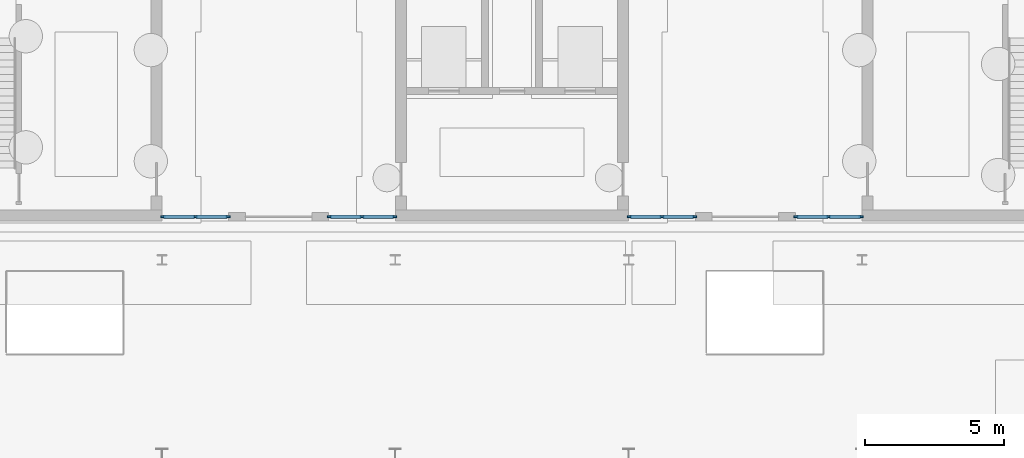
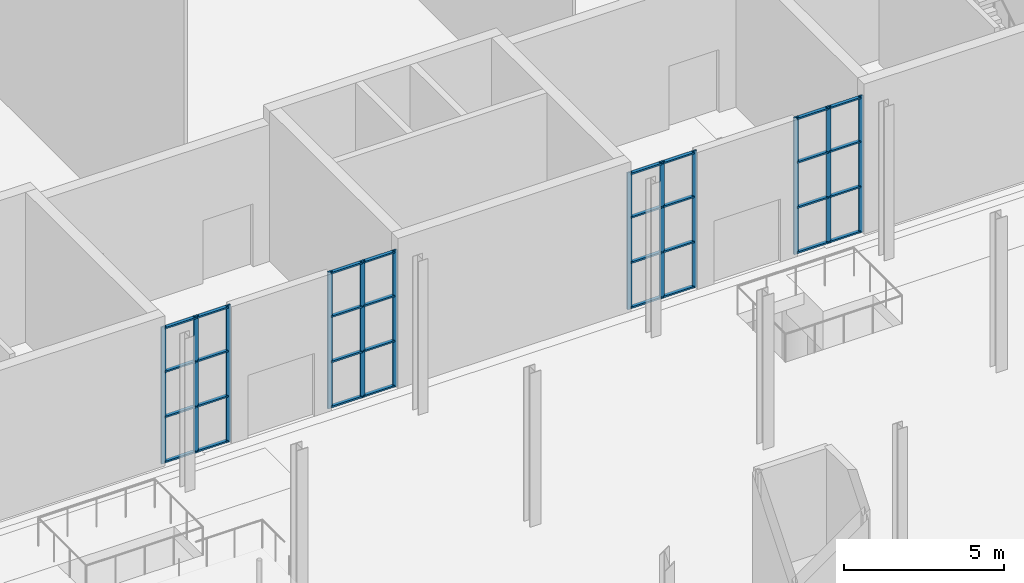
# One storey, part 37 of 108: 44 members, 4 elements without a shape of their own.
"""IFC4 building model written with IfcOpenShell, lengths in metres."""

from ifc_helpers import new_model, si_unit, direction, frame, origin, origin_2d, place, context, subcontext, project, spatial, rectangle, extrude, material, material_profile, profile_set, type_object, element, aggregate, save


model = new_model("IFC4")

# Units and contexts
model_context = context("Model", 3, precision=1e-05, world=origin(), true_north=direction((0.0, 1.0)))
body_context = subcontext(model_context, "Body", "Model", "MODEL_VIEW")
ifc_project = project(units=[si_unit("LENGTHUNIT", "METRE"), si_unit("AREAUNIT", "SQUARE_METRE"), si_unit("VOLUMEUNIT", "CUBIC_METRE"), si_unit("PLANEANGLEUNIT", "RADIAN"), si_unit("MASSUNIT", "GRAM", prefix="KILO")], contexts=[model_context])

# Site, building, storey
site_placement = place(None, origin())
site = spatial("IfcSite", under=ifc_project, at=site_placement, CompositionType="ELEMENT")
building_placement = place(site_placement, origin())
building = spatial("IfcBuilding", under=site, at=building_placement, Name="Cresset Court Congress Hotel", CompositionType="ELEMENT")
storey_placement = place(building_placement, origin())
storey = spatial("IfcBuildingStorey", under=building, at=storey_placement, Name="L00", CompositionType="ELEMENT", Elevation=0.0)

# Curtain wall, members
ifc_material_1 = material(Name="Aluminium frame with insulated glass", Category="aluminium")
curtain_wall_type = type_object("IfcCurtainWallType", Name="Curtain wall module 1200", PredefinedType="NOTDEFINED", material=ifc_material_1)
curtain_wall_1_placement = place(storey_placement, origin())
curtain_wall_1 = element("IfcCurtainWall", 1, at=curtain_wall_1_placement, inside=storey, type_object=curtain_wall_type, Name="Curtain wall W1", PredefinedType="NOTDEFINED")
ifc_material_2 = material(Name="Aluminium", Category="aluminium")
ifc_material_profile_1 = material_profile(ifc_material_2, rectangle(XDim=0.1201171875, YDim=0.06005859375, at=origin_2d()), Name="AL 120x60")
ifc_profile_set_1 = profile_set([ifc_material_profile_1], Name="Aluminium")
member_type_1 = type_object("IfcMemberType", Name="CW transom RECT 120x60", PredefinedType="USERDEFINED", material=ifc_profile_set_1)
member_1_placement = place(storey_placement, frame((16.860107421875, 58.949951171875, 0.06005859375), z_axis=(1.0, 0.0, 0.0), x_axis=(0.0, 1.0, 0.0)))
member_1 = element("IfcMember", 2, at=member_1_placement, type_object=member_type_1, Name="D-X1 transom 1.1", ObjectType="TRANSOM", PredefinedType="USERDEFINED", context=body_context, shape_type="SweptSolid", body=[
    extrude(rectangle(XDim=0.1201171875, YDim=0.06005859375, at=origin_2d()), origin(), (0.0, 0.0, 1.0), 1.10986328125),
])
member_2_placement = place(storey_placement, frame((16.860107421875, 58.949951171875, 1.77490234375), z_axis=(1.0, 0.0, 0.0), x_axis=(0.0, 1.0, 0.0)))
member_2 = element("IfcMember", 3, at=member_2_placement, type_object=member_type_1, Name="D-X1 transom 1.2", ObjectType="TRANSOM", PredefinedType="USERDEFINED", context=body_context, shape_type="SweptSolid", body=[
    extrude(rectangle(XDim=0.1201171875, YDim=0.06005859375, at=origin_2d()), origin(), (0.0, 0.0, 1.0), 1.10986328125),
])
member_3_placement = place(storey_placement, frame((16.860107421875, 58.949951171875, 3.4970703125), z_axis=(1.0, 0.0, 0.0), x_axis=(0.0, 1.0, 0.0)))
member_3 = element("IfcMember", 4, at=member_3_placement, type_object=member_type_1, Name="D-X1 transom 1.3", ObjectType="TRANSOM", PredefinedType="USERDEFINED", context=body_context, shape_type="SweptSolid", body=[
    extrude(rectangle(XDim=0.1201171875, YDim=0.06005859375, at=origin_2d()), origin(), (0.0, 0.0, 1.0), 1.10986328125),
])
member_4_placement = place(storey_placement, frame((16.860107421875, 58.949951171875, 5.159912109375), z_axis=(1.0, 0.0, 0.0), x_axis=(0.0, 1.0, 0.0)))
member_4 = element("IfcMember", 5, at=member_4_placement, type_object=member_type_1, Name="D-X1 transom 1.4", ObjectType="TRANSOM", PredefinedType="USERDEFINED", context=body_context, shape_type="SweptSolid", body=[
    extrude(rectangle(XDim=0.1201171875, YDim=0.06005859375, at=origin_2d()), origin(), (0.0, 0.0, 1.0), 1.10986328125),
])
member_5_placement = place(storey_placement, frame((18.030029296875, 58.949951171875, 0.06005859375), z_axis=(1.0, 0.0, 0.0), x_axis=(0.0, 1.0, 0.0)))
member_5 = element("IfcMember", 6, at=member_5_placement, type_object=member_type_1, Name="D-X1 transom 2.1", ObjectType="TRANSOM", PredefinedType="USERDEFINED", context=body_context, shape_type="SweptSolid", body=[
    extrude(rectangle(XDim=0.1201171875, YDim=0.06005859375, at=origin_2d()), origin(), (0.0, 0.0, 1.0), 1.10986328125),
])
member_6_placement = place(storey_placement, frame((18.030029296875, 58.949951171875, 1.77490234375), z_axis=(1.0, 0.0, 0.0), x_axis=(0.0, 1.0, 0.0)))
member_6 = element("IfcMember", 7, at=member_6_placement, type_object=member_type_1, Name="D-X1 transom 2.2", ObjectType="TRANSOM", PredefinedType="USERDEFINED", context=body_context, shape_type="SweptSolid", body=[
    extrude(rectangle(XDim=0.1201171875, YDim=0.06005859375, at=origin_2d()), origin(), (0.0, 0.0, 1.0), 1.10986328125),
])
member_7_placement = place(storey_placement, frame((18.030029296875, 58.949951171875, 3.4970703125), z_axis=(1.0, 0.0, 0.0), x_axis=(0.0, 1.0, 0.0)))
member_7 = element("IfcMember", 8, at=member_7_placement, type_object=member_type_1, Name="D-X1 transom 2.3", ObjectType="TRANSOM", PredefinedType="USERDEFINED", context=body_context, shape_type="SweptSolid", body=[
    extrude(rectangle(XDim=0.1201171875, YDim=0.06005859375, at=origin_2d()), origin(), (0.0, 0.0, 1.0), 1.10986328125),
])
member_8_placement = place(storey_placement, frame((18.030029296875, 58.949951171875, 5.159912109375), z_axis=(1.0, 0.0, 0.0), x_axis=(0.0, 1.0, 0.0)))
member_8 = element("IfcMember", 9, at=member_8_placement, type_object=member_type_1, Name="D-X1 transom 2.4", ObjectType="TRANSOM", PredefinedType="USERDEFINED", context=body_context, shape_type="SweptSolid", body=[
    extrude(rectangle(XDim=0.1201171875, YDim=0.06005859375, at=origin_2d()), origin(), (0.0, 0.0, 1.0), 1.10986328125),
])

curtain_wall_2_placement = place(storey_placement, origin())
curtain_wall_2 = element("IfcCurtainWall", 10, at=curtain_wall_2_placement, inside=storey, type_object=curtain_wall_type, Name="Curtain wall W2", PredefinedType="NOTDEFINED")
member_9_placement = place(storey_placement, frame((22.860107421875, 58.949951171875, 0.06005859375), z_axis=(1.0, 0.0, 0.0), x_axis=(0.0, 1.0, 0.0)))
member_9 = element("IfcMember", 11, at=member_9_placement, type_object=member_type_1, Name="D-X1 transom 1.1", ObjectType="TRANSOM", PredefinedType="USERDEFINED", context=body_context, shape_type="SweptSolid", body=[
    extrude(rectangle(XDim=0.1201171875, YDim=0.06005859375, at=origin_2d()), origin(), (0.0, 0.0, 1.0), 1.10986328125),
])
member_10_placement = place(storey_placement, frame((22.860107421875, 58.949951171875, 1.77490234375), z_axis=(1.0, 0.0, 0.0), x_axis=(0.0, 1.0, 0.0)))
member_10 = element("IfcMember", 12, at=member_10_placement, type_object=member_type_1, Name="D-X1 transom 1.2", ObjectType="TRANSOM", PredefinedType="USERDEFINED", context=body_context, shape_type="SweptSolid", body=[
    extrude(rectangle(XDim=0.1201171875, YDim=0.06005859375, at=origin_2d()), origin(), (0.0, 0.0, 1.0), 1.10986328125),
])
member_11_placement = place(storey_placement, frame((22.860107421875, 58.949951171875, 3.4970703125), z_axis=(1.0, 0.0, 0.0), x_axis=(0.0, 1.0, 0.0)))
member_11 = element("IfcMember", 13, at=member_11_placement, type_object=member_type_1, Name="D-X1 transom 1.3", ObjectType="TRANSOM", PredefinedType="USERDEFINED", context=body_context, shape_type="SweptSolid", body=[
    extrude(rectangle(XDim=0.1201171875, YDim=0.06005859375, at=origin_2d()), origin(), (0.0, 0.0, 1.0), 1.10986328125),
])
member_12_placement = place(storey_placement, frame((22.860107421875, 58.949951171875, 5.159912109375), z_axis=(1.0, 0.0, 0.0), x_axis=(0.0, 1.0, 0.0)))
member_12 = element("IfcMember", 14, at=member_12_placement, type_object=member_type_1, Name="D-X1 transom 1.4", ObjectType="TRANSOM", PredefinedType="USERDEFINED", context=body_context, shape_type="SweptSolid", body=[
    extrude(rectangle(XDim=0.1201171875, YDim=0.06005859375, at=origin_2d()), origin(), (0.0, 0.0, 1.0), 1.10986328125),
])
member_13_placement = place(storey_placement, frame((24.030029296875, 58.949951171875, 0.06005859375), z_axis=(1.0, 0.0, 0.0), x_axis=(0.0, 1.0, 0.0)))
member_13 = element("IfcMember", 15, at=member_13_placement, type_object=member_type_1, Name="D-X1 transom 2.1", ObjectType="TRANSOM", PredefinedType="USERDEFINED", context=body_context, shape_type="SweptSolid", body=[
    extrude(rectangle(XDim=0.1201171875, YDim=0.06005859375, at=origin_2d()), origin(), (0.0, 0.0, 1.0), 1.10986328125),
])
member_14_placement = place(storey_placement, frame((24.030029296875, 58.949951171875, 1.77490234375), z_axis=(1.0, 0.0, 0.0), x_axis=(0.0, 1.0, 0.0)))
member_14 = element("IfcMember", 16, at=member_14_placement, type_object=member_type_1, Name="D-X1 transom 2.2", ObjectType="TRANSOM", PredefinedType="USERDEFINED", context=body_context, shape_type="SweptSolid", body=[
    extrude(rectangle(XDim=0.1201171875, YDim=0.06005859375, at=origin_2d()), origin(), (0.0, 0.0, 1.0), 1.10986328125),
])
member_15_placement = place(storey_placement, frame((24.030029296875, 58.949951171875, 3.4970703125), z_axis=(1.0, 0.0, 0.0), x_axis=(0.0, 1.0, 0.0)))
member_15 = element("IfcMember", 17, at=member_15_placement, type_object=member_type_1, Name="D-X1 transom 2.3", ObjectType="TRANSOM", PredefinedType="USERDEFINED", context=body_context, shape_type="SweptSolid", body=[
    extrude(rectangle(XDim=0.1201171875, YDim=0.06005859375, at=origin_2d()), origin(), (0.0, 0.0, 1.0), 1.10986328125),
])
member_16_placement = place(storey_placement, frame((24.030029296875, 58.949951171875, 5.159912109375), z_axis=(1.0, 0.0, 0.0), x_axis=(0.0, 1.0, 0.0)))
member_16 = element("IfcMember", 18, at=member_16_placement, type_object=member_type_1, Name="D-X1 transom 2.4", ObjectType="TRANSOM", PredefinedType="USERDEFINED", context=body_context, shape_type="SweptSolid", body=[
    extrude(rectangle(XDim=0.1201171875, YDim=0.06005859375, at=origin_2d()), origin(), (0.0, 0.0, 1.0), 1.10986328125),
])

curtain_wall_3_placement = place(storey_placement, origin())
curtain_wall_3 = element("IfcCurtainWall", 19, at=curtain_wall_3_placement, inside=storey, type_object=curtain_wall_type, Name="Curtain wall E1", PredefinedType="NOTDEFINED")
member_17_placement = place(storey_placement, frame((33.659912109375, 58.949951171875, 0.06005859375), z_axis=(1.0, 0.0, 0.0), x_axis=(0.0, 1.0, 0.0)))
member_17 = element("IfcMember", 20, at=member_17_placement, type_object=member_type_1, Name="D-X1 transom 1.1", ObjectType="TRANSOM", PredefinedType="USERDEFINED", context=body_context, shape_type="SweptSolid", body=[
    extrude(rectangle(XDim=0.1201171875, YDim=0.06005859375, at=origin_2d()), origin(), (0.0, 0.0, 1.0), 1.110107421875),
])
member_18_placement = place(storey_placement, frame((33.659912109375, 58.949951171875, 1.77490234375), z_axis=(1.0, 0.0, 0.0), x_axis=(0.0, 1.0, 0.0)))
member_18 = element("IfcMember", 21, at=member_18_placement, type_object=member_type_1, Name="D-X1 transom 1.2", ObjectType="TRANSOM", PredefinedType="USERDEFINED", context=body_context, shape_type="SweptSolid", body=[
    extrude(rectangle(XDim=0.1201171875, YDim=0.06005859375, at=origin_2d()), origin(), (0.0, 0.0, 1.0), 1.110107421875),
])
member_19_placement = place(storey_placement, frame((33.659912109375, 58.949951171875, 3.4970703125), z_axis=(1.0, 0.0, 0.0), x_axis=(0.0, 1.0, 0.0)))
member_19 = element("IfcMember", 22, at=member_19_placement, type_object=member_type_1, Name="D-X1 transom 1.3", ObjectType="TRANSOM", PredefinedType="USERDEFINED", context=body_context, shape_type="SweptSolid", body=[
    extrude(rectangle(XDim=0.1201171875, YDim=0.06005859375, at=origin_2d()), origin(), (0.0, 0.0, 1.0), 1.110107421875),
])
member_20_placement = place(storey_placement, frame((33.659912109375, 58.949951171875, 5.159912109375), z_axis=(1.0, 0.0, 0.0), x_axis=(0.0, 1.0, 0.0)))
member_20 = element("IfcMember", 23, at=member_20_placement, type_object=member_type_1, Name="D-X1 transom 1.4", ObjectType="TRANSOM", PredefinedType="USERDEFINED", context=body_context, shape_type="SweptSolid", body=[
    extrude(rectangle(XDim=0.1201171875, YDim=0.06005859375, at=origin_2d()), origin(), (0.0, 0.0, 1.0), 1.110107421875),
])
member_21_placement = place(storey_placement, frame((34.830078125, 58.949951171875, 0.06005859375), z_axis=(1.0, 0.0, 0.0), x_axis=(0.0, 1.0, 0.0)))
member_21 = element("IfcMember", 24, at=member_21_placement, type_object=member_type_1, Name="D-X1 transom 2.1", ObjectType="TRANSOM", PredefinedType="USERDEFINED", context=body_context, shape_type="SweptSolid", body=[
    extrude(rectangle(XDim=0.1201171875, YDim=0.06005859375, at=origin_2d()), origin(), (0.0, 0.0, 1.0), 1.10986328125),
])
member_22_placement = place(storey_placement, frame((34.830078125, 58.949951171875, 1.77490234375), z_axis=(1.0, 0.0, 0.0), x_axis=(0.0, 1.0, 0.0)))
member_22 = element("IfcMember", 25, at=member_22_placement, type_object=member_type_1, Name="D-X1 transom 2.2", ObjectType="TRANSOM", PredefinedType="USERDEFINED", context=body_context, shape_type="SweptSolid", body=[
    extrude(rectangle(XDim=0.1201171875, YDim=0.06005859375, at=origin_2d()), origin(), (0.0, 0.0, 1.0), 1.10986328125),
])
member_23_placement = place(storey_placement, frame((34.830078125, 58.949951171875, 3.4970703125), z_axis=(1.0, 0.0, 0.0), x_axis=(0.0, 1.0, 0.0)))
member_23 = element("IfcMember", 26, at=member_23_placement, type_object=member_type_1, Name="D-X1 transom 2.3", ObjectType="TRANSOM", PredefinedType="USERDEFINED", context=body_context, shape_type="SweptSolid", body=[
    extrude(rectangle(XDim=0.1201171875, YDim=0.06005859375, at=origin_2d()), origin(), (0.0, 0.0, 1.0), 1.10986328125),
])
member_24_placement = place(storey_placement, frame((34.830078125, 58.949951171875, 5.159912109375), z_axis=(1.0, 0.0, 0.0), x_axis=(0.0, 1.0, 0.0)))
member_24 = element("IfcMember", 27, at=member_24_placement, type_object=member_type_1, Name="D-X1 transom 2.4", ObjectType="TRANSOM", PredefinedType="USERDEFINED", context=body_context, shape_type="SweptSolid", body=[
    extrude(rectangle(XDim=0.1201171875, YDim=0.06005859375, at=origin_2d()), origin(), (0.0, 0.0, 1.0), 1.10986328125),
])

curtain_wall_4_placement = place(storey_placement, origin())
curtain_wall_4 = element("IfcCurtainWall", 28, at=curtain_wall_4_placement, inside=storey, type_object=curtain_wall_type, Name="Curtain wall E2", PredefinedType="NOTDEFINED")
member_25_placement = place(storey_placement, frame((39.659912109375, 58.949951171875, 0.06005859375), z_axis=(1.0, 0.0, 0.0), x_axis=(0.0, 1.0, 0.0)))
member_25 = element("IfcMember", 29, at=member_25_placement, type_object=member_type_1, Name="D-X1 transom 1.1", ObjectType="TRANSOM", PredefinedType="USERDEFINED", context=body_context, shape_type="SweptSolid", body=[
    extrude(rectangle(XDim=0.1201171875, YDim=0.06005859375, at=origin_2d()), origin(), (0.0, 0.0, 1.0), 1.110107421875),
])
member_26_placement = place(storey_placement, frame((39.659912109375, 58.949951171875, 1.77490234375), z_axis=(1.0, 0.0, 0.0), x_axis=(0.0, 1.0, 0.0)))
member_26 = element("IfcMember", 30, at=member_26_placement, type_object=member_type_1, Name="D-X1 transom 1.2", ObjectType="TRANSOM", PredefinedType="USERDEFINED", context=body_context, shape_type="SweptSolid", body=[
    extrude(rectangle(XDim=0.1201171875, YDim=0.06005859375, at=origin_2d()), origin(), (0.0, 0.0, 1.0), 1.110107421875),
])
member_27_placement = place(storey_placement, frame((39.659912109375, 58.949951171875, 3.4970703125), z_axis=(1.0, 0.0, 0.0), x_axis=(0.0, 1.0, 0.0)))
member_27 = element("IfcMember", 31, at=member_27_placement, type_object=member_type_1, Name="D-X1 transom 1.3", ObjectType="TRANSOM", PredefinedType="USERDEFINED", context=body_context, shape_type="SweptSolid", body=[
    extrude(rectangle(XDim=0.1201171875, YDim=0.06005859375, at=origin_2d()), origin(), (0.0, 0.0, 1.0), 1.110107421875),
])
member_28_placement = place(storey_placement, frame((39.659912109375, 58.949951171875, 5.159912109375), z_axis=(1.0, 0.0, 0.0), x_axis=(0.0, 1.0, 0.0)))
member_28 = element("IfcMember", 32, at=member_28_placement, type_object=member_type_1, Name="D-X1 transom 1.4", ObjectType="TRANSOM", PredefinedType="USERDEFINED", context=body_context, shape_type="SweptSolid", body=[
    extrude(rectangle(XDim=0.1201171875, YDim=0.06005859375, at=origin_2d()), origin(), (0.0, 0.0, 1.0), 1.110107421875),
])
member_29_placement = place(storey_placement, frame((40.830078125, 58.949951171875, 0.06005859375), z_axis=(1.0, 0.0, 0.0), x_axis=(0.0, 1.0, 0.0)))
member_29 = element("IfcMember", 33, at=member_29_placement, type_object=member_type_1, Name="D-X1 transom 2.1", ObjectType="TRANSOM", PredefinedType="USERDEFINED", context=body_context, shape_type="SweptSolid", body=[
    extrude(rectangle(XDim=0.1201171875, YDim=0.06005859375, at=origin_2d()), origin(), (0.0, 0.0, 1.0), 1.10986328125),
])
member_30_placement = place(storey_placement, frame((40.830078125, 58.949951171875, 1.77490234375), z_axis=(1.0, 0.0, 0.0), x_axis=(0.0, 1.0, 0.0)))
member_30 = element("IfcMember", 34, at=member_30_placement, type_object=member_type_1, Name="D-X1 transom 2.2", ObjectType="TRANSOM", PredefinedType="USERDEFINED", context=body_context, shape_type="SweptSolid", body=[
    extrude(rectangle(XDim=0.1201171875, YDim=0.06005859375, at=origin_2d()), origin(), (0.0, 0.0, 1.0), 1.10986328125),
])
member_31_placement = place(storey_placement, frame((40.830078125, 58.949951171875, 3.4970703125), z_axis=(1.0, 0.0, 0.0), x_axis=(0.0, 1.0, 0.0)))
member_31 = element("IfcMember", 35, at=member_31_placement, type_object=member_type_1, Name="D-X1 transom 2.3", ObjectType="TRANSOM", PredefinedType="USERDEFINED", context=body_context, shape_type="SweptSolid", body=[
    extrude(rectangle(XDim=0.1201171875, YDim=0.06005859375, at=origin_2d()), origin(), (0.0, 0.0, 1.0), 1.10986328125),
])
member_32_placement = place(storey_placement, frame((40.830078125, 58.949951171875, 5.159912109375), z_axis=(1.0, 0.0, 0.0), x_axis=(0.0, 1.0, 0.0)))
member_32 = element("IfcMember", 36, at=member_32_placement, type_object=member_type_1, Name="D-X1 transom 2.4", ObjectType="TRANSOM", PredefinedType="USERDEFINED", context=body_context, shape_type="SweptSolid", body=[
    extrude(rectangle(XDim=0.1201171875, YDim=0.06005859375, at=origin_2d()), origin(), (0.0, 0.0, 1.0), 1.10986328125),
])

# Member
ifc_material_3 = material(Name="Anodised aluminium", Category="aluminium")
ifc_material_profile_2 = material_profile(ifc_material_3, rectangle(XDim=0.06005859375, YDim=0.159912109375, at=origin_2d()), Name="AL60x160")
ifc_profile_set_2 = profile_set([ifc_material_profile_2], Name="Anodised aluminium")
member_type_2 = type_object("IfcMemberType", Name="Curtain wall mullion 60x160", PredefinedType="MULLION", material=ifc_profile_set_2)
member_33_placement = place(storey_placement, frame((16.830078125, 58.949951171875, 0.0), z_axis=(0.0, 0.0, 1.0), x_axis=(0.0, 1.0, 0.0)))
member_33 = element("IfcMember", 37, at=member_33_placement, type_object=member_type_2, Name="D-X1 mullion 1", PredefinedType="MULLION", context=body_context, shape_type="SweptSolid", body=[
    extrude(rectangle(XDim=0.06005859375, YDim=0.159912109375, at=origin_2d()), origin(), (0.0, 0.0, 1.0), 5.219970703125),
])

member_34_placement = place(storey_placement, frame((18.0, 58.949951171875, 0.0), z_axis=(0.0, 0.0, 1.0), x_axis=(0.0, 1.0, 0.0)))
member_34 = element("IfcMember", 38, at=member_34_placement, type_object=member_type_2, Name="D-X1 mullion 2", PredefinedType="MULLION", context=body_context, shape_type="SweptSolid", body=[
    extrude(rectangle(XDim=0.06005859375, YDim=0.159912109375, at=origin_2d()), origin(), (0.0, 0.0, 1.0), 5.219970703125),
])

member_35_placement = place(storey_placement, frame((19.169921875, 58.949951171875, 0.0), z_axis=(0.0, 0.0, 1.0), x_axis=(0.0, 1.0, 0.0)))
member_35 = element("IfcMember", 39, at=member_35_placement, type_object=member_type_2, Name="D-X1 mullion 3", PredefinedType="MULLION", context=body_context, shape_type="SweptSolid", body=[
    extrude(rectangle(XDim=0.06005859375, YDim=0.159912109375, at=origin_2d()), origin(), (0.0, 0.0, 1.0), 5.219970703125),
])

aggregate(curtain_wall_1, [member_33, member_34, member_35, member_1, member_2, member_3, member_4, member_5, member_6, member_7, member_8])

member_36_placement = place(storey_placement, frame((22.830078125, 58.949951171875, 0.0), z_axis=(0.0, 0.0, 1.0), x_axis=(0.0, 1.0, 0.0)))
member_36 = element("IfcMember", 40, at=member_36_placement, type_object=member_type_2, Name="D-X1 mullion 1", PredefinedType="MULLION", context=body_context, shape_type="SweptSolid", body=[
    extrude(rectangle(XDim=0.06005859375, YDim=0.159912109375, at=origin_2d()), origin(), (0.0, 0.0, 1.0), 5.219970703125),
])

member_37_placement = place(storey_placement, frame((24.0, 58.949951171875, 0.0), z_axis=(0.0, 0.0, 1.0), x_axis=(0.0, 1.0, 0.0)))
member_37 = element("IfcMember", 41, at=member_37_placement, type_object=member_type_2, Name="D-X1 mullion 2", PredefinedType="MULLION", context=body_context, shape_type="SweptSolid", body=[
    extrude(rectangle(XDim=0.06005859375, YDim=0.159912109375, at=origin_2d()), origin(), (0.0, 0.0, 1.0), 5.219970703125),
])

member_38_placement = place(storey_placement, frame((25.169921875, 58.949951171875, 0.0), z_axis=(0.0, 0.0, 1.0), x_axis=(0.0, 1.0, 0.0)))
member_38 = element("IfcMember", 42, at=member_38_placement, type_object=member_type_2, Name="D-X1 mullion 3", PredefinedType="MULLION", context=body_context, shape_type="SweptSolid", body=[
    extrude(rectangle(XDim=0.06005859375, YDim=0.159912109375, at=origin_2d()), origin(), (0.0, 0.0, 1.0), 5.219970703125),
])

aggregate(curtain_wall_2, [member_36, member_37, member_38, member_9, member_10, member_11, member_12, member_13, member_14, member_15, member_16])

member_39_placement = place(storey_placement, frame((33.6298828125, 58.949951171875, 0.0), z_axis=(0.0, 0.0, 1.0), x_axis=(0.0, 1.0, 0.0)))
member_39 = element("IfcMember", 43, at=member_39_placement, type_object=member_type_2, Name="D-X1 mullion 1", PredefinedType="MULLION", context=body_context, shape_type="SweptSolid", body=[
    extrude(rectangle(XDim=0.06005859375, YDim=0.159912109375, at=origin_2d()), origin(), (0.0, 0.0, 1.0), 5.219970703125),
])

member_40_placement = place(storey_placement, frame((34.800048828125, 58.949951171875, 0.0), z_axis=(0.0, 0.0, 1.0), x_axis=(0.0, 1.0, 0.0)))
member_40 = element("IfcMember", 44, at=member_40_placement, type_object=member_type_2, Name="D-X1 mullion 2", PredefinedType="MULLION", context=body_context, shape_type="SweptSolid", body=[
    extrude(rectangle(XDim=0.06005859375, YDim=0.159912109375, at=origin_2d()), origin(), (0.0, 0.0, 1.0), 5.219970703125),
])

member_41_placement = place(storey_placement, frame((35.969970703125, 58.949951171875, 0.0), z_axis=(0.0, 0.0, 1.0), x_axis=(0.0, 1.0, 0.0)))
member_41 = element("IfcMember", 45, at=member_41_placement, type_object=member_type_2, Name="D-X1 mullion 3", PredefinedType="MULLION", context=body_context, shape_type="SweptSolid", body=[
    extrude(rectangle(XDim=0.06005859375, YDim=0.159912109375, at=origin_2d()), origin(), (0.0, 0.0, 1.0), 5.219970703125),
])

aggregate(curtain_wall_3, [member_39, member_40, member_41, member_17, member_18, member_19, member_20, member_21, member_22, member_23, member_24])

member_42_placement = place(storey_placement, frame((39.6298828125, 58.949951171875, 0.0), z_axis=(0.0, 0.0, 1.0), x_axis=(0.0, 1.0, 0.0)))
member_42 = element("IfcMember", 46, at=member_42_placement, type_object=member_type_2, Name="D-X1 mullion 1", PredefinedType="MULLION", context=body_context, shape_type="SweptSolid", body=[
    extrude(rectangle(XDim=0.06005859375, YDim=0.159912109375, at=origin_2d()), origin(), (0.0, 0.0, 1.0), 5.219970703125),
])

member_43_placement = place(storey_placement, frame((40.800048828125, 58.949951171875, 0.0), z_axis=(0.0, 0.0, 1.0), x_axis=(0.0, 1.0, 0.0)))
member_43 = element("IfcMember", 47, at=member_43_placement, type_object=member_type_2, Name="D-X1 mullion 2", PredefinedType="MULLION", context=body_context, shape_type="SweptSolid", body=[
    extrude(rectangle(XDim=0.06005859375, YDim=0.159912109375, at=origin_2d()), origin(), (0.0, 0.0, 1.0), 5.219970703125),
])

member_44_placement = place(storey_placement, frame((41.969970703125, 58.949951171875, 0.0), z_axis=(0.0, 0.0, 1.0), x_axis=(0.0, 1.0, 0.0)))
member_44 = element("IfcMember", 48, at=member_44_placement, type_object=member_type_2, Name="D-X1 mullion 3", PredefinedType="MULLION", context=body_context, shape_type="SweptSolid", body=[
    extrude(rectangle(XDim=0.06005859375, YDim=0.159912109375, at=origin_2d()), origin(), (0.0, 0.0, 1.0), 5.219970703125),
])

aggregate(curtain_wall_4, [member_42, member_43, member_44, member_25, member_26, member_27, member_28, member_29, member_30, member_31, member_32])

save(model, "model.ifc")
